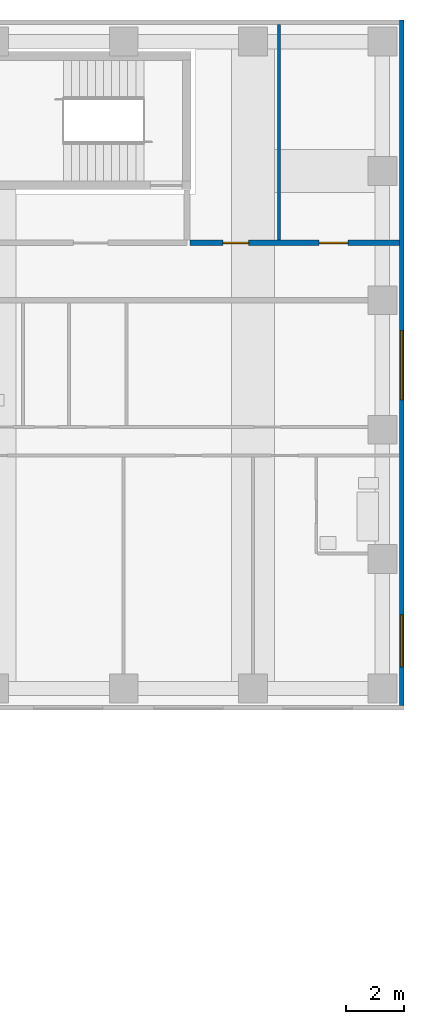
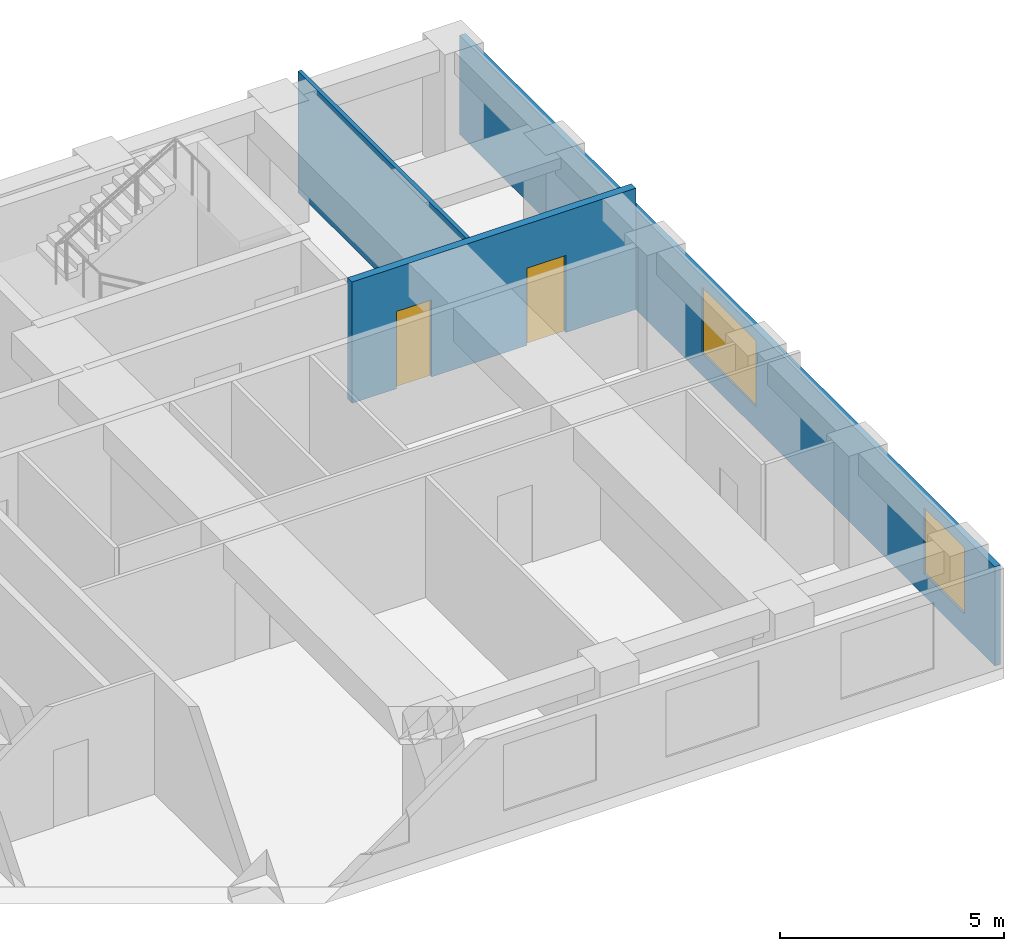
# One storey, part 9 of 12: 3 walls, 2 doors, 2 windows, 4 openings.
"""IFC4 building model written with IfcOpenShell, lengths in metres."""

from ifc_helpers import new_model, si_unit, direction, frame, frame_2d, origin, place, context, subcontext, project, spatial, rectangle, extrude, material, layer, layer_set, type_object, element, fill, save


model = new_model("IFC4")

# Units and contexts
model_context = context("Model", 3, precision=1e-05, world=origin(), true_north=direction((0.0, 1.0)))
body_context = subcontext(model_context, "Body", "Model", "MODEL_VIEW")
ifc_project = project(units=[si_unit("LENGTHUNIT", "METRE"), si_unit("AREAUNIT", "SQUARE_METRE"), si_unit("VOLUMEUNIT", "CUBIC_METRE"), si_unit("PLANEANGLEUNIT", "RADIAN"), si_unit("MASSUNIT", "GRAM", prefix="KILO")], contexts=[model_context])

# Site, building, storey
site_placement = place(None, origin())
site = spatial("IfcSite", under=ifc_project, at=site_placement, CompositionType="ELEMENT")
building_placement = place(site_placement, origin())
building = spatial("IfcBuilding", under=site, at=building_placement, Name="Firuza Court", CompositionType="ELEMENT")
storey_placement = place(building_placement, frame((0.0, 0.0, 144.800048828125)))
storey = spatial("IfcBuildingStorey", under=building, at=storey_placement, Name="L36", CompositionType="ELEMENT", Elevation=144.800048828125)

# Wall, openings, doors
ifc_material_1 = material(Name="Blockwork, plastered both sides", Category="masonry")
ifc_layer_1 = layer(ifc_material_1, 0.199951171875)
ifc_layer_set_1 = layer_set([ifc_layer_1], Name="Blockwork, plastered both sides")
wall_type_1 = type_object("IfcWallType", Name="Corridor wall 200", PredefinedType="PARTITIONING", material=ifc_layer_set_1)
wall_1_placement = place(storey_placement, frame((60.800048828125, 51.5, 0.0), z_axis=(0.0, 0.0, 1.0), x_axis=(1.0, 0.0, 0.0)))
wall_1 = element("IfcWall", 1, at=wall_1_placement, inside=storey, type_object=wall_type_1, Name="Corridor wall 200 L36", PredefinedType="PARTITIONING", context=body_context, shape_type="SweptSolid", body=[
    extrude(rectangle(XDim=7.300048828125, YDim=0.199951171875, at=frame_2d((3.64990234375, 0.0))), origin(), (0.0, 0.0, 1.0), 3.300048828125),
])
opening_1_placement = place(wall_1_placement, frame((1.14990234375, 0.0, 0.0)))
opening_1 = element("IfcOpeningElement", 2, at=opening_1_placement, cuts=wall_1, Name="Opening D36070", PredefinedType="OPENING", context=body_context, shape_type="SweptSolid", body=[
    extrude(rectangle(XDim=0.89990234375, YDim=2.10009765625, at=frame_2d((0.449951171875, 1.050048828125))), frame((0.0, 0.11181640625, 0.0), z_axis=(0.0, -1.0, 0.0), x_axis=(1.0, 0.0, 0.0)), (0.0, 0.0, 1.0), 0.223876953125),
])
opening_2_placement = place(wall_1_placement, frame((4.5, 0.0, 0.0)))
opening_2 = element("IfcOpeningElement", 3, at=opening_2_placement, cuts=wall_1, Name="Opening D36071", PredefinedType="OPENING", context=body_context, shape_type="SweptSolid", body=[
    extrude(rectangle(XDim=1.0, YDim=2.10009765625, at=frame_2d((0.5, 1.050048828125))), frame((0.0, 0.11181640625, 0.0), z_axis=(0.0, -1.0, 0.0), x_axis=(1.0, 0.0, 0.0)), (0.0, 0.0, 1.0), 0.223876953125),
])
ifc_material_2 = material(Name="Timber door leaf in hardwood frame", Category="wood")
door_type_1 = type_object("IfcDoorType", Name="Room door 900 EI 30", OperationType="SINGLE_SWING_LEFT", PredefinedType="DOOR", material=ifc_material_2)
door_1_placement = place(opening_1_placement, origin())
door_1 = element("IfcDoor", 4, at=door_1_placement, inside=storey, type_object=door_type_1, Name="Staff pantry door", OperationType="SINGLE_SWING_LEFT", OverallHeight=2.10009765625, OverallWidth=0.89990234375, PredefinedType="DOOR", context=body_context, shape_type="SweptSolid", body=[
    extrude(rectangle(XDim=0.89990234375, YDim=2.10009765625, at=frame_2d((0.449951171875, 1.050048828125))), frame((0.0, 0.02490234375, 0.0), z_axis=(0.0, -1.0, 0.0), x_axis=(1.0, 0.0, 0.0)), (0.0, 0.0, 1.0), 0.050048828125),
])
fill(opening_1, door_1)
ifc_material_3 = material(Name="Timber door leaf in hardwood frame", Category="wood")
door_type_2 = type_object("IfcDoorType", Name="Store door 1000", OperationType="SINGLE_SWING_LEFT", PredefinedType="DOOR", material=ifc_material_3)
door_2_placement = place(opening_2_placement, origin())
door_2 = element("IfcDoor", 5, at=door_2_placement, inside=storey, type_object=door_type_2, Name="Parcel room door", OperationType="SINGLE_SWING_LEFT", OverallHeight=2.10009765625, OverallWidth=1.0, PredefinedType="DOOR", context=body_context, shape_type="SweptSolid", body=[
    extrude(rectangle(XDim=1.0, YDim=2.10009765625, at=frame_2d((0.5, 1.050048828125))), frame((0.0, 0.02490234375, 0.0), z_axis=(0.0, -1.0, 0.0), x_axis=(1.0, 0.0, 0.0)), (0.0, 0.0, 1.0), 0.050048828125),
])
fill(opening_2, door_2)

# Wall
ifc_material_4 = material(Name="Timber stud partition, plasterboard both sides", Category="wood")
ifc_layer_2 = layer(ifc_material_4, 0.10009765625)
ifc_layer_set_2 = layer_set([ifc_layer_2], Name="Timber stud partition, plasterboard both sides")
wall_type_2 = type_object("IfcWallType", Name="Partition wall 100", PredefinedType="PARTITIONING", material=ifc_layer_set_2)
wall_2_placement = place(storey_placement, frame((63.89990234375, 51.60009765625, 0.0), z_axis=(0.0, 0.0, 1.0), x_axis=(0.0, 1.0, 0.0)))
element("IfcWall", 6, at=wall_2_placement, inside=storey, type_object=wall_type_2, Name="Partition wall 100 L36", PredefinedType="PARTITIONING", context=body_context, shape_type="SweptSolid", body=[
    extrude(rectangle(XDim=7.5, YDim=0.10009765625, at=frame_2d((3.75, 0.0))), origin(), (0.0, 0.0, 1.0), 3.300048828125),
])

# Wall, openings, windows
ifc_material_5 = material(Name="Ceramic tile", Category="ceramic")
ifc_layer_3 = layer(ifc_material_5, 0.02001953125)
ifc_material_6 = material(Name="Mineral wool insulation", Category="insulation")
ifc_layer_4 = layer(ifc_material_6, 0.050048828125)
ifc_material_7 = material(Name="Concrete C40/50 precast", Category="concrete")
ifc_layer_5 = layer(ifc_material_7, 0.080078125)
ifc_layer_set_3 = layer_set([ifc_layer_3, ifc_layer_4, ifc_layer_5], Name="Concrete C40/50 precast")
wall_type_3 = type_object("IfcWallType", Name="Precast cladding wall with turquoise TILE PANEL face 150", PredefinedType="STANDARD", material=ifc_layer_set_3)
wall_3_placement = place(storey_placement, frame((68.175048828125, 35.39990234375, 0.0), z_axis=(0.0, 0.0, 1.0), x_axis=(0.0, 1.0, 0.0)))
wall_3 = element("IfcWall", 7, at=wall_3_placement, inside=storey, type_object=wall_type_3, Name="Facade wall L36 E", PredefinedType="STANDARD", context=body_context, shape_type="SweptSolid", body=[
    extrude(rectangle(XDim=23.85009765625, YDim=0.14990234375, at=frame_2d((11.925048828125, 0.0))), origin(), (0.0, 0.0, 1.0), 2.699951171875),
])
opening_3_placement = place(wall_3_placement, frame((1.359619140625, 0.0, 0.60009765625)))
opening_3 = element("IfcOpeningElement", 8, at=opening_3_placement, cuts=wall_3, Name="Opening W7", PredefinedType="OPENING", context=body_context, shape_type="SweptSolid", body=[
    extrude(rectangle(XDim=1.800048828125, YDim=1.800048828125, at=frame_2d((0.89990234375, 0.89990234375))), frame((0.0, 0.0869140625, 0.0), z_axis=(0.0, -1.0, 0.0), x_axis=(1.0, 0.0, 0.0)), (0.0, 0.0, 1.0), 0.173828125),
])
opening_4_placement = place(wall_3_placement, frame((10.64990234375, 0.0, 0.60009765625)))
opening_4 = element("IfcOpeningElement", 9, at=opening_4_placement, cuts=wall_3, Name="Opening W1", PredefinedType="OPENING", context=body_context, shape_type="SweptSolid", body=[
    extrude(rectangle(XDim=2.39990234375, YDim=1.800048828125, at=frame_2d((1.199951171875, 0.89990234375))), frame((0.0, 0.0869140625, 0.0), z_axis=(0.0, -1.0, 0.0), x_axis=(1.0, 0.0, 0.0)), (0.0, 0.0, 1.0), 0.173828125),
])
ifc_material_8 = material(Name="Aluminium frame, triple clear glazing", Category="aluminium")
window_type_1 = type_object("IfcWindowType", Name="Window W1 2400 x 1800", PartitioningType="SINGLE_PANEL", PredefinedType="WINDOW", material=ifc_material_8)
window_1_placement = place(opening_4_placement, origin())
window_1 = element("IfcWindow", 10, at=window_1_placement, inside=storey, type_object=window_type_1, Name="Window L36", OverallHeight=1.800048828125, OverallWidth=2.39990234375, PartitioningType="SINGLE_PANEL", PredefinedType="WINDOW", context=body_context, shape_type="SweptSolid", body=[
    extrude(rectangle(XDim=2.39990234375, YDim=1.800048828125, at=frame_2d((1.199951171875, 0.89990234375))), frame((0.0, 0.030029296875, 0.0), z_axis=(0.0, -1.0, 0.0), x_axis=(1.0, 0.0, 0.0)), (0.0, 0.0, 1.0), 0.06005859375),
])
fill(opening_4, window_1)
ifc_material_9 = material(Name="Aluminium frame, triple clear glazing", Category="aluminium")
window_type_2 = type_object("IfcWindowType", Name="Window W7 1800 x 1800", PartitioningType="SINGLE_PANEL", PredefinedType="WINDOW", material=ifc_material_9)
window_2_placement = place(opening_3_placement, origin())
window_2 = element("IfcWindow", 11, at=window_2_placement, inside=storey, type_object=window_type_2, Name="Window L36", OverallHeight=1.800048828125, OverallWidth=1.800048828125, PartitioningType="SINGLE_PANEL", PredefinedType="WINDOW", context=body_context, shape_type="SweptSolid", body=[
    extrude(rectangle(XDim=1.800048828125, YDim=1.800048828125, at=frame_2d((0.89990234375, 0.89990234375))), frame((0.0, 0.030029296875, 0.0), z_axis=(0.0, -1.0, 0.0), x_axis=(1.0, 0.0, 0.0)), (0.0, 0.0, 1.0), 0.06005859375),
])
fill(opening_3, window_2)

save(model, "model.ifc")
